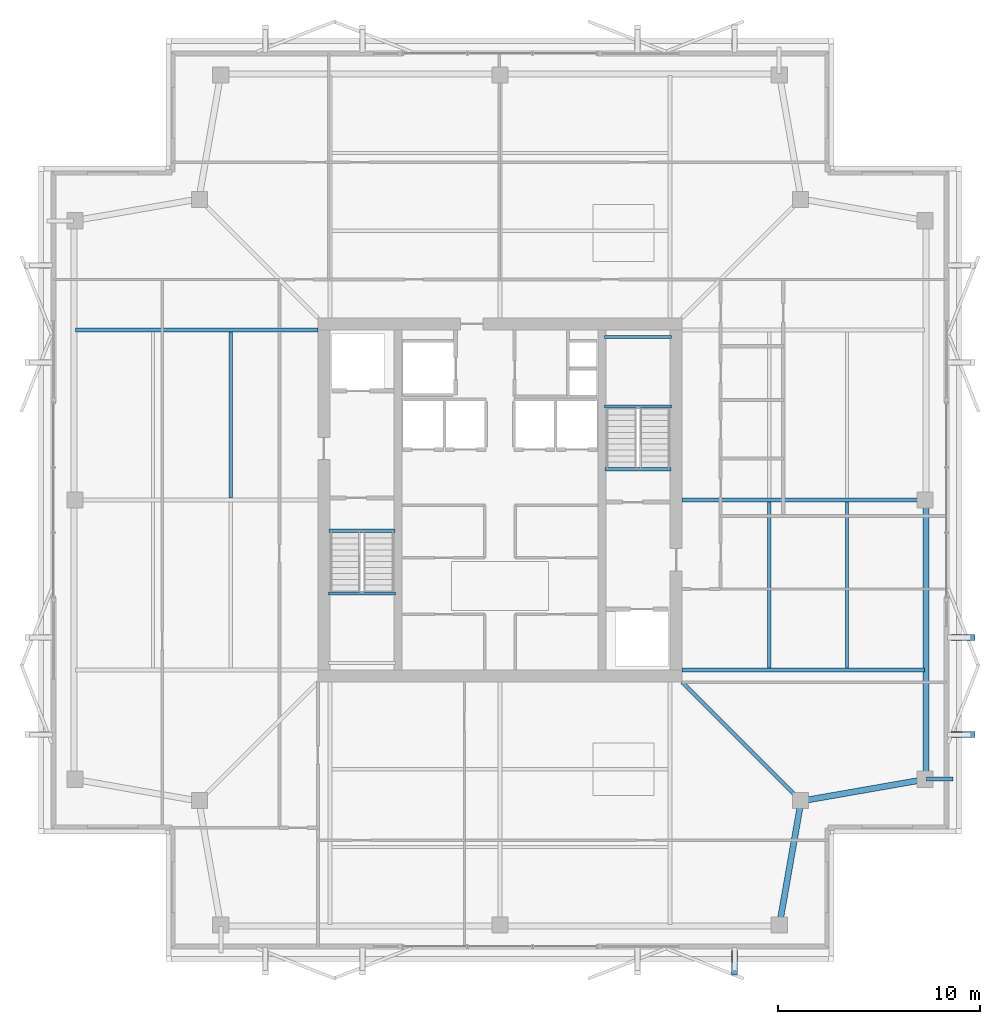
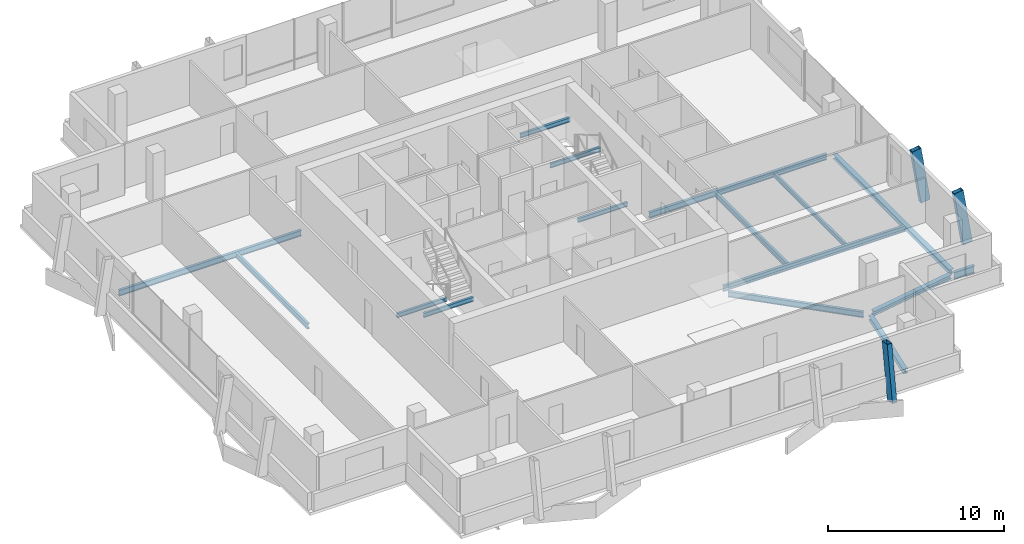
# One storey, part 6 of 17: 16 beams, 3 members.
"""IFC4 building model written with IfcOpenShell, lengths in metres."""

from ifc_helpers import new_model, si_unit, direction, frame, origin, origin_2d, place, context, subcontext, project, spatial, hollow_rectangle, i_section, extrude, material, material_profile, profile_set, type_object, element, save


model = new_model("IFC4")

# Units and contexts
model_context = context("Model", 3, precision=1e-05, world=origin(), true_north=direction((0.0, 1.0)))
body_context = subcontext(model_context, "Body", "Model", "MODEL_VIEW")
ifc_project = project(units=[si_unit("LENGTHUNIT", "METRE"), si_unit("AREAUNIT", "SQUARE_METRE"), si_unit("VOLUMEUNIT", "CUBIC_METRE"), si_unit("PLANEANGLEUNIT", "RADIAN"), si_unit("MASSUNIT", "GRAM", prefix="KILO")], contexts=[model_context])

# Site, building, storey
site_placement = place(None, origin())
site = spatial("IfcSite", under=ifc_project, at=site_placement, CompositionType="ELEMENT")
building_placement = place(site_placement, origin())
building = spatial("IfcBuilding", under=site, at=building_placement, Name="Belovzor Exchange Tower", CompositionType="ELEMENT")
storey_placement = place(building_placement, frame((0.0, 0.0, 333.0)))
storey = spatial("IfcBuildingStorey", under=building, at=storey_placement, Name="L83", CompositionType="ELEMENT", Elevation=333.0)

# Beams
ifc_material_1 = material(Name="Steel S355", Category="steel")
ifc_material_profile_1 = material_profile(ifc_material_1, i_section(OverallWidth=0.199951171875, OverallDepth=0.5, WebThickness=0.01025390625, FlangeThickness=0.01611328125, at=origin_2d()))
ifc_profile_set_1 = profile_set([ifc_material_profile_1], Name="Steel S355")
beam_type_1 = type_object("IfcBeamType", Name="Planted Balcony Cantilever Beam IPE 500", PredefinedType="BEAM", material=ifc_profile_set_1)
beam_1_placement = place(storey_placement, frame((49.8779296875, 15.0, -0.489990234375), z_axis=(1.0, 0.0, 0.0), x_axis=(0.0, 1.0, 0.0)))
element("IfcBeam", 1, at=beam_1_placement, inside=storey, type_object=beam_type_1, Name="BC-500 Planted Balcony Cantilever Beam IPE 500", PredefinedType="BEAM", context=body_context, shape_type="SweptSolid", body=[
    extrude(i_section(OverallWidth=0.199951171875, OverallDepth=0.5, WebThickness=0.01025390625, FlangeThickness=0.01611328125, at=origin_2d()), origin(), (0.0, 0.0, 1.0), 1.322021484375),
])
ifc_material_2 = material(Name="Steel S355", Category="steel")
ifc_material_profile_2 = material_profile(ifc_material_2, i_section(OverallWidth=0.169921875, OverallDepth=0.360107421875, WebThickness=0.008056640625, FlangeThickness=0.0126953125, at=origin_2d()))
ifc_profile_set_2 = profile_set([ifc_material_profile_2], Name="Steel S355")
beam_type_2 = type_object("IfcBeamType", Name="Secondary Infill Floor Joist IPE 360", PredefinedType="BEAM", material=ifc_profile_set_2)
beam_2_placement = place(storey_placement, frame((15.485107421875, 28.889892578125, -0.419921875), z_axis=(0.0, 1.0, 0.0), x_axis=(-1.0, 0.0, 0.0)))
element("IfcBeam", 2, at=beam_2_placement, inside=storey, type_object=beam_type_2, Name="FJ-360 Secondary Infill Floor Joist IPE 360", PredefinedType="BEAM", context=body_context, shape_type="SweptSolid", body=[
    extrude(i_section(OverallWidth=0.169921875, OverallDepth=0.360107421875, WebThickness=0.008056640625, FlangeThickness=0.0126953125, at=origin_2d()), origin(), (0.0, 0.0, 1.0), 8.22021484375),
])
beam_3_placement = place(storey_placement, frame((42.114990234375, 20.489990234375, -0.419921875), z_axis=(0.0, 1.0, 0.0), x_axis=(-1.0, 0.0, 0.0)))
element("IfcBeam", 3, at=beam_3_placement, inside=storey, type_object=beam_type_2, Name="FJ-360 Secondary Infill Floor Joist IPE 360", PredefinedType="BEAM", context=body_context, shape_type="SweptSolid", body=[
    extrude(i_section(OverallWidth=0.169921875, OverallDepth=0.360107421875, WebThickness=0.008056640625, FlangeThickness=0.0126953125, at=origin_2d()), origin(), (0.0, 0.0, 1.0), 8.219970703125),
])
ifc_material_3 = material(Name="Steel S355", Category="steel")
ifc_material_profile_3 = material_profile(ifc_material_3, i_section(OverallWidth=0.14990234375, OverallDepth=0.300048828125, WebThickness=0.007080078125, FlangeThickness=0.0107421875, at=origin_2d()))
ifc_profile_set_3 = profile_set([ifc_material_profile_3], Name="Steel S355")
beam_type_3 = type_object("IfcBeamType", Name="Secondary Trim Floor Joist IPE 300", PredefinedType="BEAM", material=ifc_profile_set_3)
beam_4_placement = place(storey_placement, frame((20.320068359375, 24.179931640625, 1.52490234375), z_axis=(1.0, 0.0, 0.0), x_axis=(0.0, 1.0, 0.0)))
element("IfcBeam", 4, at=beam_4_placement, inside=storey, type_object=beam_type_3, Name="FJ-300 Secondary Trim Floor Joist IPE 300", PredefinedType="BEAM", context=body_context, shape_type="SweptSolid", body=[
    extrude(i_section(OverallWidth=0.14990234375, OverallDepth=0.300048828125, WebThickness=0.007080078125, FlangeThickness=0.0107421875, at=origin_2d()), origin(), (0.0, 0.0, 1.0), 3.309814453125),
])
beam_5_placement = place(storey_placement, frame((20.340087890625, 27.280029296875, -0.389892578125), z_axis=(1.0, 0.0, 0.0), x_axis=(0.0, 1.0, 0.0)))
element("IfcBeam", 5, at=beam_5_placement, inside=storey, type_object=beam_type_3, Name="FJ-300 Secondary Trim Floor Joist IPE 300", PredefinedType="BEAM", context=body_context, shape_type="SweptSolid", body=[
    extrude(i_section(OverallWidth=0.14990234375, OverallDepth=0.300048828125, WebThickness=0.007080078125, FlangeThickness=0.0107421875, at=origin_2d()), origin(), (0.0, 0.0, 1.0), 3.27001953125),
])
for number, where, z_axis, x_axis, name in (
    (6, (37.280029296875, 33.419921875, 1.52490234375), (-1.0, 0.0, 0.0), (0.0, -1.0, 0.0), "FJ-300 Secondary Trim Floor Joist IPE 300"),
    (7, (37.280029296875, 36.85009765625, 1.52490234375), (-1.0, 0.0, 0.0), (0.0, -1.0, 0.0), "FJ-300 Secondary Trim Floor Joist IPE 300"),
):
    element("IfcBeam", number, at=place(storey_placement, frame(where, z_axis=z_axis, x_axis=x_axis)), inside=storey, type_object=beam_type_3, Name=name, PredefinedType="BEAM", context=body_context, shape_type="SweptSolid", body=[
        extrude(i_section(OverallWidth=0.14990234375, OverallDepth=0.300048828125, WebThickness=0.007080078125, FlangeThickness=0.0107421875, at=origin_2d()), origin(), (0.0, 0.0, 1.0), 3.31005859375),
    ])
beam_6_placement = place(storey_placement, frame((37.260009765625, 30.320068359375, -0.389892578125), z_axis=(-1.0, 0.0, 0.0), x_axis=(0.0, -1.0, 0.0)))
element("IfcBeam", 8, at=beam_6_placement, inside=storey, type_object=beam_type_3, Name="FJ-300 Secondary Trim Floor Joist IPE 300", PredefinedType="BEAM", context=body_context, shape_type="SweptSolid", body=[
    extrude(i_section(OverallWidth=0.14990234375, OverallDepth=0.300048828125, WebThickness=0.007080078125, FlangeThickness=0.0107421875, at=origin_2d()), origin(), (0.0, 0.0, 1.0), 3.27001953125),
])
beam_7_placement = place(storey_placement, frame((45.950927734375, 20.489990234375, -0.389892578125), z_axis=(0.0, 1.0, 0.0), x_axis=(-1.0, 0.0, 0.0)))
element("IfcBeam", 9, at=beam_7_placement, inside=storey, type_object=beam_type_3, Name="FJ-300 Secondary Trim Floor Joist IPE 300", PredefinedType="BEAM", context=body_context, shape_type="SweptSolid", body=[
    extrude(i_section(OverallWidth=0.14990234375, OverallDepth=0.300048828125, WebThickness=0.007080078125, FlangeThickness=0.0107421875, at=origin_2d()), origin(), (0.0, 0.0, 1.0), 8.219970703125),
])

# Members
ifc_material_4 = material(Name="Extruded Architectural Terracotta on Steel S355 Carrier", Category="masonry")
ifc_material_profile_4 = material_profile(ifc_material_4, hollow_rectangle(XDim=0.300048828125, YDim=0.60009765625, WallThickness=0.01611328125, at=origin_2d()))
ifc_profile_set_4 = profile_set([ifc_material_profile_4], Name="Extruded Architectural Terracotta on Steel S355 Carrier")
member_type = type_object("IfcMemberType", Name="Upper Crown Terracotta Fin Assembly 550", PredefinedType="USERDEFINED", material=ifc_profile_set_4)
for number, where, z_axis, x_axis, name in (
    (10, (51.97509765625, 17.199951171875, -0.239990234375), (-0.158015573692, 0.0, 0.987436619977), (0.0, -1.0, 0.0), "FIN-TC055 Terracotta Facade Fin L83 E1"),
    (11, (51.97509765625, 22.0, -0.239990234375), (-0.158015573692, 0.0, 0.987436619977), (0.0, -1.0, 0.0), "FIN-TC055 Terracotta Facade Fin L83 E2"),
    (12, (40.39990234375, 5.625, -0.239990234375), (0.0, 0.158015573692, 0.987436619977), (-1.0, 0.0, 0.0), "FIN-TC055 Terracotta Facade Fin L83 S4"),
):
    element("IfcMember", number, at=place(storey_placement, frame(where, z_axis=z_axis, x_axis=x_axis)), inside=storey, type_object=member_type, Name=name, ObjectType="FIN", PredefinedType="USERDEFINED", context=body_context, shape_type="SweptSolid", body=[
        extrude(hollow_rectangle(XDim=0.300048828125, YDim=0.60009765625, WallThickness=0.01611328125, at=origin_2d()), origin(), (0.0, 0.0, 1.0), 3.797607421875),
    ])

# Beams
ifc_material_5 = material(Name="Steel S355", Category="steel")
ifc_material_profile_5 = material_profile(ifc_material_5, i_section(OverallWidth=0.179931640625, OverallDepth=0.39990234375, WebThickness=0.008544921875, FlangeThickness=0.013427734375, at=origin_2d()))
ifc_profile_set_5 = profile_set([ifc_material_profile_5], Name="Steel S355")
beam_type_4 = type_object("IfcBeamType", Name="Zone 5-6 Radial Composite Floor Beam IPE 400", PredefinedType="BEAM", material=ifc_profile_set_5)
for number, where, z_axis, x_axis, name in (
    (13, (19.800048828125, 37.199951171875, -0.43994140625), (-1.0, 0.0, 0.0), (0.0, -1.0, 0.0), "FB-400 Zone 5-6 Radial Composite Floor Beam IPE 400"),
    (14, (37.800048828125, 20.39990234375, -0.43994140625), (1.0, 0.0, 0.0), (0.0, 1.0, 0.0), "FB-400 Zone 5-6 Radial Composite Floor Beam IPE 400"),
):
    element("IfcBeam", number, at=place(storey_placement, frame(where, z_axis=z_axis, x_axis=x_axis)), inside=storey, type_object=beam_type_4, Name=name, PredefinedType="BEAM", context=body_context, shape_type="SweptSolid", body=[
        extrude(i_section(OverallWidth=0.179931640625, OverallDepth=0.39990234375, WebThickness=0.008544921875, FlangeThickness=0.013427734375, at=origin_2d()), origin(), (0.0, 0.0, 1.0), 11.987060546875),
    ])
beam_8_placement = place(storey_placement, frame((37.800048828125, 28.800048828125, -0.43994140625), z_axis=(1.0, 0.0, 0.0), x_axis=(0.0, 1.0, 0.0)))
element("IfcBeam", 15, at=beam_8_placement, inside=storey, type_object=beam_type_4, Name="FB-400 Zone 5-6 Radial Composite Floor Beam IPE 400", PredefinedType="BEAM", context=body_context, shape_type="SweptSolid", body=[
    extrude(i_section(OverallWidth=0.179931640625, OverallDepth=0.39990234375, WebThickness=0.008544921875, FlangeThickness=0.013427734375, at=origin_2d()), origin(), (0.0, 0.0, 1.0), 11.65185546875),
])
beam_9_placement = place(storey_placement, frame((37.800048828125, 19.800048828125, -0.43994140625), z_axis=(0.707167957531, -0.707045599549, 0.0), x_axis=(0.707045599549, 0.707167957531, 0.0)))
element("IfcBeam", 16, at=beam_9_placement, inside=storey, type_object=beam_type_4, Name="FB-400 Zone 5-6 Radial Composite Floor Beam IPE 400", PredefinedType="BEAM", context=body_context, shape_type="SweptSolid", body=[
    extrude(i_section(OverallWidth=0.179931640625, OverallDepth=0.39990234375, WebThickness=0.008544921875, FlangeThickness=0.013427734375, at=origin_2d()), origin(), (0.0, 0.0, 1.0), 7.981201171875),
])
ifc_material_6 = material(Name="Steel S355", Category="steel")
ifc_material_profile_6 = material_profile(ifc_material_6, i_section(OverallWidth=0.300048828125, OverallDepth=0.300048828125, WebThickness=0.008544921875, FlangeThickness=0.013916015625, at=origin_2d()))
ifc_profile_set_6 = profile_set([ifc_material_profile_6], Name="Steel S355")
beam_type_5 = type_object("IfcBeamType", Name="Zone 6 Primary Girder HEA 300", PredefinedType="BEAM", material=ifc_profile_set_6)
for number, where, z_axis, x_axis, name in (
    (17, (42.64501953125, 7.9951171875, -0.389892578125), (0.172252684082, 0.985052796974, 0.0), (-0.985052796974, 0.172252684082, 0.0), "FG-Z6 Zone 6 Primary Girder HEA 300"),
    (18, (43.93798828125, 13.964111328125, -0.389892578125), (0.985052796974, 0.172252684082, 0.0), (-0.172252684082, 0.985052796974, 0.0), "FG-Z6 Zone 6 Primary Girder HEA 300"),
):
    element("IfcBeam", number, at=place(storey_placement, frame(where, z_axis=z_axis, x_axis=x_axis)), inside=storey, type_object=beam_type_5, Name=name, PredefinedType="BEAM", context=body_context, shape_type="SweptSolid", body=[
        extrude(i_section(OverallWidth=0.300048828125, OverallDepth=0.300048828125, WebThickness=0.008544921875, FlangeThickness=0.013916015625, at=origin_2d()), origin(), (0.0, 0.0, 1.0), 5.7529296875),
    ])
beam_10_placement = place(storey_placement, frame((49.862060546875, 15.260986328125, -0.389892578125), z_axis=(0.0, 1.0, 0.0), x_axis=(-1.0, 0.0, 0.0)))
element("IfcBeam", 19, at=beam_10_placement, inside=storey, type_object=beam_type_5, Name="FG-Z6 Zone 6 Primary Girder HEA 300", PredefinedType="BEAM", context=body_context, shape_type="SweptSolid", body=[
    extrude(i_section(OverallWidth=0.300048828125, OverallDepth=0.300048828125, WebThickness=0.008544921875, FlangeThickness=0.013916015625, at=origin_2d()), origin(), (0.0, 0.0, 1.0), 13.278076171875),
])

save(model, "model.ifc")
